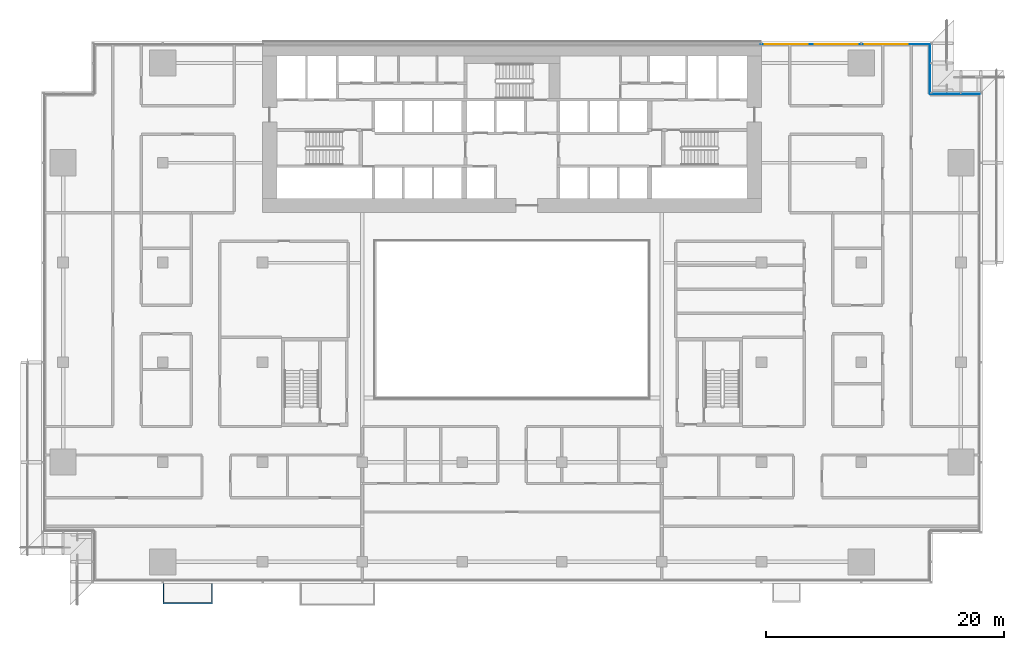
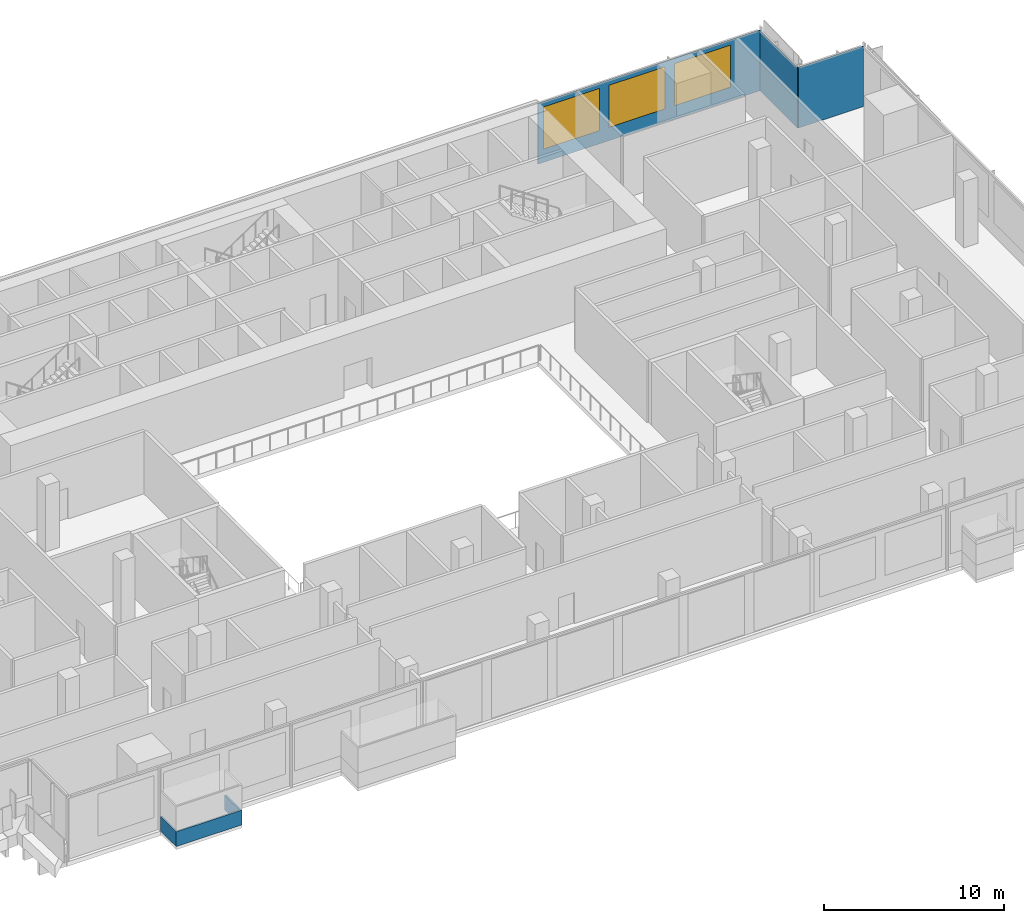
# One storey, part 13 of 23: 3 plates, 3 windows, 1 wall, 3 openings, 3 elements without a shape of their own.
"""IFC4 building model written with IfcOpenShell, lengths in metres."""

import ifcopenshell
import ifcopenshell.guid

model = None  # the IFC model being written
_history = None  # IfcOwnerHistory: only IFC2X3 demands one
_inside = {}  # id of a spatial element -> (the spatial element, [elements in it])
_under = {}  # id of a project, library or spatial element -> (it, [spatial elements below it])
_declared = {}  # id of a project -> (the project, [libraries it declares])
_typed = {}  # id of a type object -> (the type object, [elements of that type])
_made_of = {}  # id of a material, layer set ... -> (it, [elements and type objects made of it])


def new_model(schema):
    """Start an empty IFC model of exactly this schema.

    Asked for "IFC4X3", IfcOpenShell would pick the latest addendum, in which some entities
    have other attributes; the version numbers below select the first issue.
    IFC2X3 requires an IfcOwnerHistory on every rooted entity: one is made here for all.
    """
    global model, _history
    if schema == "IFC4X3":
        model = ifcopenshell.file(schema_version=(4, 3, 0, 0))
    else:
        model = ifcopenshell.file(schema=schema)
    _inside.clear()
    _under.clear()
    _declared.clear()
    _typed.clear()
    _made_of.clear()
    _history = None
    if model.schema == "IFC2X3":
        org = make("IfcOrganization", Name="unknown")
        user = make(
            "IfcPersonAndOrganization",
            ThePerson=make("IfcPerson", FamilyName="unknown"),
            TheOrganization=org,
        )
        app = make(
            "IfcApplication",
            ApplicationDeveloper=org,
            Version="unknown",
            ApplicationFullName="unknown",
            ApplicationIdentifier="unknown",
        )
        _history = make(
            "IfcOwnerHistory",
            OwningUser=user,
            OwningApplication=app,
            ChangeAction="ADDED",
            CreationDate=0,
        )
    return model


def make(cls, **values):
    """One entity of the class cls with the attributes given. An attribute that is None is left unset."""
    return model.create_entity(
        cls, **{name: value for name, value in values.items() if value is not None}
    )


def rooted(cls, **values):
    """An entity with a GlobalId (a new one), such as an element, a storey or a relation."""
    return make(cls, GlobalId=ifcopenshell.guid.new(), OwnerHistory=_history, **values)


def si_unit(unit_type, name, prefix=None):
    """IfcSIUnit, for example si_unit("LENGTHUNIT", "METRE", prefix="MILLI")."""
    return make("IfcSIUnit", UnitType=unit_type, Prefix=prefix, Name=name)


def assignment(units):
    """IfcUnitAssignment: the units of a project."""
    return None if units is None else make("IfcUnitAssignment", Units=units)


def point(xyz):
    """IfcCartesianPoint."""
    return None if xyz is None else make("IfcCartesianPoint", Coordinates=xyz)


def direction(xyz):
    """IfcDirection."""
    return None if xyz is None else make("IfcDirection", DirectionRatios=xyz)


def frame(location, z_axis=None, x_axis=None):
    """IfcAxis2Placement3D, a coordinate frame: its origin and axes. An axis left out is left unset."""
    return make(
        "IfcAxis2Placement3D",
        Location=point(location),
        Axis=direction(z_axis),
        RefDirection=direction(x_axis),
    )


def frame_2d(location, x_axis=None):
    """IfcAxis2Placement2D, a coordinate frame in the plane: its origin and x axis."""
    return make(
        "IfcAxis2Placement2D", Location=point(location), RefDirection=direction(x_axis)
    )


def origin():
    """The frame at (0, 0, 0) with its axes left unset."""
    return frame((0.0, 0.0, 0.0))


def place(relative_to, where):
    """IfcLocalPlacement: puts the frame where relative to a parent placement (None: the world)."""
    return make(
        "IfcLocalPlacement", PlacementRelTo=relative_to, RelativePlacement=where
    )


def context(
    kind, dimensions, precision=None, world=None, true_north=None, identifier=None
):
    """IfcGeometricRepresentationContext, for example the 3D "Model" context."""
    return make(
        "IfcGeometricRepresentationContext",
        ContextIdentifier=identifier,
        ContextType=kind,
        CoordinateSpaceDimension=dimensions,
        Precision=precision,
        WorldCoordinateSystem=world,
        TrueNorth=true_north,
    )


def subcontext(parent, identifier, kind, view, scale=None):
    """IfcGeometricRepresentationSubContext, for example "Body" below "Model"."""
    return make(
        "IfcGeometricRepresentationSubContext",
        ContextIdentifier=identifier,
        ContextType=kind,
        ParentContext=parent,
        TargetScale=scale,
        TargetView=view,
    )


def project(units=None, contexts=None):
    """IfcProject with its units and contexts."""
    return rooted(
        "IfcProject",
        Name="project",
        RepresentationContexts=contexts,
        UnitsInContext=assignment(units),
    )


def spatial(cls, under=None, at=None, **own):
    """A site, building, storey or space (cls), placed at a placement, below another one or the project."""
    s = rooted(cls, ObjectPlacement=at, **own)
    if under is not None:
        _under.setdefault(under.id(), (under, []))[1].append(s)
    return s


def polyline(points):
    """IfcPolyline through the points."""
    return make("IfcPolyline", Points=[point(p) for p in points])


def profile(cls, at=None, kind="AREA", **sizes):
    """A parametric profile (cls). Its sizes go by their IFC names, for example OverallWidth=200.0."""
    return make(cls, ProfileType=kind, Position=at, **sizes)


def rectangle(**sizes):
    """IfcRectangleProfileDef."""
    return profile("IfcRectangleProfileDef", **sizes)


def outline(outer, holes=None, kind="AREA"):
    """IfcArbitraryClosedProfileDef: a profile drawn as a closed curve; with holes, ...WithVoids."""
    if holes is None:
        return make("IfcArbitraryClosedProfileDef", ProfileType=kind, OuterCurve=outer)
    return make(
        "IfcArbitraryProfileDefWithVoids",
        ProfileType=kind,
        OuterCurve=outer,
        InnerCurves=holes,
    )


def extrude(swept, where, along, depth):
    """IfcExtrudedAreaSolid: the profile swept, set in the frame where, extruded along a direction by depth."""
    return make(
        "IfcExtrudedAreaSolid",
        SweptArea=swept,
        Position=where,
        ExtrudedDirection=direction(along),
        Depth=depth,
    )


def shape(context_of_items, identifier, shape_type, items):
    """IfcShapeRepresentation: the items that make up one representation, for example the "Body"."""
    return make(
        "IfcShapeRepresentation",
        ContextOfItems=context_of_items,
        RepresentationIdentifier=identifier,
        RepresentationType=shape_type,
        Items=items,
    )


def material(Name=None, Category=None):
    """IfcMaterial."""
    return make("IfcMaterial", Name=Name, Category=Category)


def layer(
    of_material, thickness, ventilated=None, Name=None, Category=None, Priority=None
):
    """IfcMaterialLayer: one layer of a wall or slab, of a material (None: an air gap)."""
    return make(
        "IfcMaterialLayer",
        Material=of_material,
        LayerThickness=thickness,
        IsVentilated=ventilated,
        Name=Name,
        Category=Category,
        Priority=Priority,
    )


def layer_set(layers, Name=None):
    """IfcMaterialLayerSet."""
    return make("IfcMaterialLayerSet", MaterialLayers=layers, LayerSetName=Name)


def made_of(thing, what):
    """Note that an element or type object is made of a material, layer set ...; save() writes the relation."""
    if what is not None:
        _made_of.setdefault(what.id(), (what, []))[1].append(thing)
    return thing


def type_object(cls, material=None, **own):
    """A type object (cls), such as IfcWallType, which elements share."""
    return made_of(rooted(cls, **own), material)


def element(
    cls,
    number,
    at=None,
    inside=None,
    cuts=None,
    type_object=None,
    material=None,
    context=None,
    identifier="Body",
    shape_type=None,
    held_by="IfcProductDefinitionShape",
    body=None,
    shapes=None,
    **own,
):
    """One element of the class cls, such as IfcWall. Its Tag is "e" and its number.

    at: its placement. inside: the storey or other place that contains it. cuts: it is an
    opening in that element (IfcRelVoidsElement). A single representation is given by context,
    identifier, shape_type and body (its items); several are given by shapes. held_by: the class
    of the entity that holds the representations. save() writes the other relations.
    """
    e = rooted(cls, Tag="e%d" % number, ObjectPlacement=at, **own)
    if body is not None:
        shapes = [shape(context, identifier, shape_type, body)]
    if shapes is not None:
        e.Representation = make(held_by, Representations=shapes)
    if inside is not None:
        _inside.setdefault(inside.id(), (inside, []))[1].append(e)
    if cuts is not None:
        rooted(
            "IfcRelVoidsElement", RelatingBuildingElement=cuts, RelatedOpeningElement=e
        )
    if type_object is not None:
        _typed.setdefault(type_object.id(), (type_object, []))[1].append(e)
    return made_of(e, material)


def fill(opening, filler):
    """IfcRelFillsElement: the door or window that sits in an opening."""
    return rooted(
        "IfcRelFillsElement",
        RelatingOpeningElement=opening,
        RelatedBuildingElement=filler,
    )


def aggregate(whole, parts):
    """IfcRelAggregates: a whole, such as a stair, and the parts it consists of."""
    return rooted("IfcRelAggregates", RelatingObject=whole, RelatedObjects=parts)


def save(model, path):
    """Write the relations noted so far, then the file.

    IfcRelAggregates (storeys below a building ...), IfcRelContainedInSpatialStructure (elements
    in a storey), IfcRelDefinesByType, IfcRelAssociatesMaterial and IfcRelDeclares: one each for
    every whole, place, type object, material and project.
    """
    for whole, parts in _under.values():
        aggregate(whole, parts)
    for where, things in _inside.values():
        rooted(
            "IfcRelContainedInSpatialStructure",
            RelatedElements=things,
            RelatingStructure=where,
        )
    for kind, things in _typed.values():
        rooted("IfcRelDefinesByType", RelatedObjects=things, RelatingType=kind)
    for what, things in _made_of.values():
        rooted("IfcRelAssociatesMaterial", RelatedObjects=things, RelatingMaterial=what)
    for by, libraries in _declared.values():
        rooted("IfcRelDeclares", RelatingContext=by, RelatedDefinitions=libraries)
    model.write(path)


model = new_model("IFC4")

# Units and contexts
model_context = context("Model", 3, precision=1e-05, world=origin(), true_north=direction((0.0, 1.0)))
body_context = subcontext(model_context, "Body", "Model", "MODEL_VIEW")
ifc_project = project(units=[si_unit("LENGTHUNIT", "METRE"), si_unit("AREAUNIT", "SQUARE_METRE"), si_unit("VOLUMEUNIT", "CUBIC_METRE"), si_unit("PLANEANGLEUNIT", "RADIAN"), si_unit("MASSUNIT", "GRAM", prefix="KILO")], contexts=[model_context])

# Site, building, storey
site_placement = place(None, origin())
site = spatial("IfcSite", under=ifc_project, at=site_placement, CompositionType="ELEMENT")
building_placement = place(site_placement, origin())
building = spatial("IfcBuilding", under=site, at=building_placement, Name="Saffron Gate Tower", CompositionType="ELEMENT")
storey_placement = place(building_placement, frame((0.0, 0.0, 32.699951171875)))
storey = spatial("IfcBuildingStorey", under=building, at=storey_placement, Name="L06", CompositionType="ELEMENT", Elevation=32.699951171875)

# Curtain wall, plate
ifc_material_1 = material(Name="Aluminium, bronze anodised", Category="aluminium")
curtain_wall_type = type_object("IfcCurtainWallType", Name="CWS6 curtain wall tall storeys", PredefinedType="NOTDEFINED", material=ifc_material_1)
curtain_wall_1_placement = place(storey_placement, origin())
curtain_wall_1 = element("IfcCurtainWall", 1, at=curtain_wall_1_placement, inside=storey, type_object=curtain_wall_type, Name="CWS6 run 5", PredefinedType="NOTDEFINED")
ifc_material_2 = material(Name="Fritted bronze-tinted laminated glass", Category="glass")
ifc_layer_1 = layer(ifc_material_2, 0.028076171875)
ifc_layer_set_1 = layer_set([ifc_layer_1], Name="CWS6 fixed glass")
plate_type = type_object("IfcPlateType", Name="CWS6 fixed glass", PredefinedType="CURTAIN_PANEL", material=ifc_layer_set_1)
plate_1_placement = place(storey_placement, frame((126.971923828125, 71.18603515625, 0.0), z_axis=(0.0, 0.0, 1.0), x_axis=(-1.0, 0.0, 0.0)))
plate_1 = element("IfcPlate", 2, at=plate_1_placement, type_object=plate_type, Name="CWS6 glass panel", PredefinedType="CURTAIN_PANEL", context=body_context, shape_type="SweptSolid", body=[
    extrude(rectangle(XDim=4.171875, YDim=0.028076171875, at=frame_2d((2.0859375, 0.0))), origin(), (0.0, 0.0, 1.0), 4.10009765625),
])
aggregate(curtain_wall_1, [plate_1])

curtain_wall_2_placement = place(storey_placement, origin())
curtain_wall_2 = element("IfcCurtainWall", 3, at=curtain_wall_2_placement, inside=storey, type_object=curtain_wall_type, Name="CWS6 run 6", PredefinedType="NOTDEFINED")
plate_2_placement = place(storey_placement, frame((122.785888671875, 71.199951171875, 0.0), z_axis=(0.0, 0.0, 1.0), x_axis=(0.0, 1.0, 0.0)))
plate_2 = element("IfcPlate", 4, at=plate_2_placement, type_object=plate_type, Name="CWS6 glass panel", PredefinedType="CURTAIN_PANEL", context=body_context, shape_type="SweptSolid", body=[
    extrude(rectangle(XDim=4.172119140625, YDim=0.028076171875, at=frame_2d((2.0859375, 0.0))), origin(), (0.0, 0.0, 1.0), 4.10009765625),
])
aggregate(curtain_wall_2, [plate_2])

# Curtain wall, plate, openings, windows
curtain_wall_3_placement = place(storey_placement, origin())
curtain_wall_3 = element("IfcCurtainWall", 5, at=curtain_wall_3_placement, inside=storey, type_object=curtain_wall_type, Name="CWS6 run 7", PredefinedType="NOTDEFINED")
plate_3_placement = place(storey_placement, frame((122.77197265625, 75.385986328125, 0.0), z_axis=(0.0, 0.0, 1.0), x_axis=(-1.0, 0.0, 0.0)))
plate_3 = element("IfcPlate", 6, at=plate_3_placement, type_object=plate_type, Name="CWS6 glass panel", PredefinedType="CURTAIN_PANEL", context=body_context, shape_type="SweptSolid", body=[
    extrude(rectangle(XDim=14.2119140625, YDim=0.028076171875, at=frame_2d((7.10595703125, 0.0))), origin(), (0.0, 0.0, 1.0), 4.10009765625),
])
opening_1_placement = place(plate_3_placement, frame((1.8720703125, 0.0, 0.89990234375)))
opening_1 = element("IfcOpeningElement", 7, at=opening_1_placement, cuts=plate_3, Name="Opening W4", PredefinedType="OPENING", context=body_context, shape_type="SweptSolid", body=[
    extrude(rectangle(XDim=3.60009765625, YDim=2.85009765625, at=frame_2d((1.800048828125, 1.425048828125))), frame((0.0, 0.02392578125, 0.0), z_axis=(0.0, -1.0, 0.0), x_axis=(1.0, 0.0, 0.0)), (0.0, 0.0, 1.0), 0.048095703125),
])
opening_2_placement = place(plate_3_placement, frame((6.072021484375, 0.0, 0.89990234375)))
opening_2 = element("IfcOpeningElement", 8, at=opening_2_placement, cuts=plate_3, Name="Opening W4", PredefinedType="OPENING", context=body_context, shape_type="SweptSolid", body=[
    extrude(rectangle(XDim=3.60009765625, YDim=2.85009765625, at=frame_2d((1.800048828125, 1.425048828125))), frame((0.0, 0.02392578125, 0.0), z_axis=(0.0, -1.0, 0.0), x_axis=(1.0, 0.0, 0.0)), (0.0, 0.0, 1.0), 0.048095703125),
])
opening_3_placement = place(plate_3_placement, frame((10.27197265625, 0.0, 0.89990234375)))
opening_3 = element("IfcOpeningElement", 9, at=opening_3_placement, cuts=plate_3, Name="Opening W4", PredefinedType="OPENING", context=body_context, shape_type="SweptSolid", body=[
    extrude(rectangle(XDim=3.60009765625, YDim=2.85009765625, at=frame_2d((1.800048828125, 1.425048828125))), frame((0.0, 0.02392578125, 0.0), z_axis=(0.0, -1.0, 0.0), x_axis=(1.0, 0.0, 0.0)), (0.0, 0.0, 1.0), 0.048095703125),
])
ifc_material_3 = material(Name="Fritted bronze-tinted laminated glass in bronze frame", Category="glass")
ifc_layer_2 = layer(ifc_material_3, 0.06005859375)
ifc_layer_set_2 = layer_set([ifc_layer_2], Name="W4 operable panel 3600x2850")
window_type = type_object("IfcWindowType", Name="W4 operable panel 3600x2850", PartitioningType="DOUBLE_PANEL_HORIZONTAL", PredefinedType="WINDOW", material=ifc_layer_set_2)
window_1_placement = place(opening_1_placement, origin())
window_1 = element("IfcWindow", 10, at=window_1_placement, type_object=window_type, Name="W4 operable panel", OverallHeight=2.85009765625, OverallWidth=3.60009765625, PartitioningType="SINGLE_PANEL", PredefinedType="WINDOW", context=body_context, shape_type="SweptSolid", body=[
    extrude(rectangle(XDim=3.60009765625, YDim=2.85009765625, at=frame_2d((1.800048828125, 1.425048828125))), frame((0.0, 0.013671875, 0.0), z_axis=(0.0, -1.0, 0.0), x_axis=(1.0, 0.0, 0.0)), (0.0, 0.0, 1.0), 0.027587890625),
])
fill(opening_1, window_1)
window_2_placement = place(opening_2_placement, origin())
window_2 = element("IfcWindow", 11, at=window_2_placement, type_object=window_type, Name="W4 operable panel", OverallHeight=2.85009765625, OverallWidth=3.60009765625, PartitioningType="SINGLE_PANEL", PredefinedType="WINDOW", context=body_context, shape_type="SweptSolid", body=[
    extrude(rectangle(XDim=3.60009765625, YDim=2.85009765625, at=frame_2d((1.800048828125, 1.425048828125))), frame((0.0, 0.013671875, 0.0), z_axis=(0.0, -1.0, 0.0), x_axis=(1.0, 0.0, 0.0)), (0.0, 0.0, 1.0), 0.027587890625),
])
fill(opening_2, window_2)
window_3_placement = place(opening_3_placement, origin())
window_3 = element("IfcWindow", 12, at=window_3_placement, type_object=window_type, Name="W4 operable panel", OverallHeight=2.85009765625, OverallWidth=3.60009765625, PartitioningType="SINGLE_PANEL", PredefinedType="WINDOW", context=body_context, shape_type="SweptSolid", body=[
    extrude(rectangle(XDim=3.60009765625, YDim=2.85009765625, at=frame_2d((1.800048828125, 1.425048828125))), frame((0.0, 0.013671875, 0.0), z_axis=(0.0, -1.0, 0.0), x_axis=(1.0, 0.0, 0.0)), (0.0, 0.0, 1.0), 0.027587890625),
])
fill(opening_3, window_3)
aggregate(curtain_wall_3, [plate_3, window_1, window_2, window_3])

# Wall
ifc_material_4 = material(Name="Glazed ceramic tile, turquoise")
ifc_layer_3 = layer(ifc_material_4, 0.10009765625)
ifc_layer_set_3 = layer_set([ifc_layer_3], Name="WB4 box parapet tile blue")
wall_type = type_object("IfcWallType", Name="WB4 box parapet tile blue", PredefinedType="SOLIDWALL", material=ifc_layer_set_3)
wall_placement = place(storey_placement, origin())
element("IfcWall", 13, at=wall_placement, inside=storey, type_object=wall_type, Name="WINDOW BOX parapet", PredefinedType="SOLIDWALL", context=body_context, shape_type="SweptSolid", body=[
    extrude(outline(polyline([(58.199951171875, 30.0), (58.300048828125, 30.0), (58.300048828125, 28.366943359375), (62.300048828125, 28.366943359375), (62.300048828125, 30.0), (62.39990234375, 30.0), (62.39990234375, 28.26708984375), (58.199951171875, 28.26708984375), (58.199951171875, 30.0)])), origin(), (0.0, 0.0, 1.0), 1.0),
])

save(model, "model.ifc")
